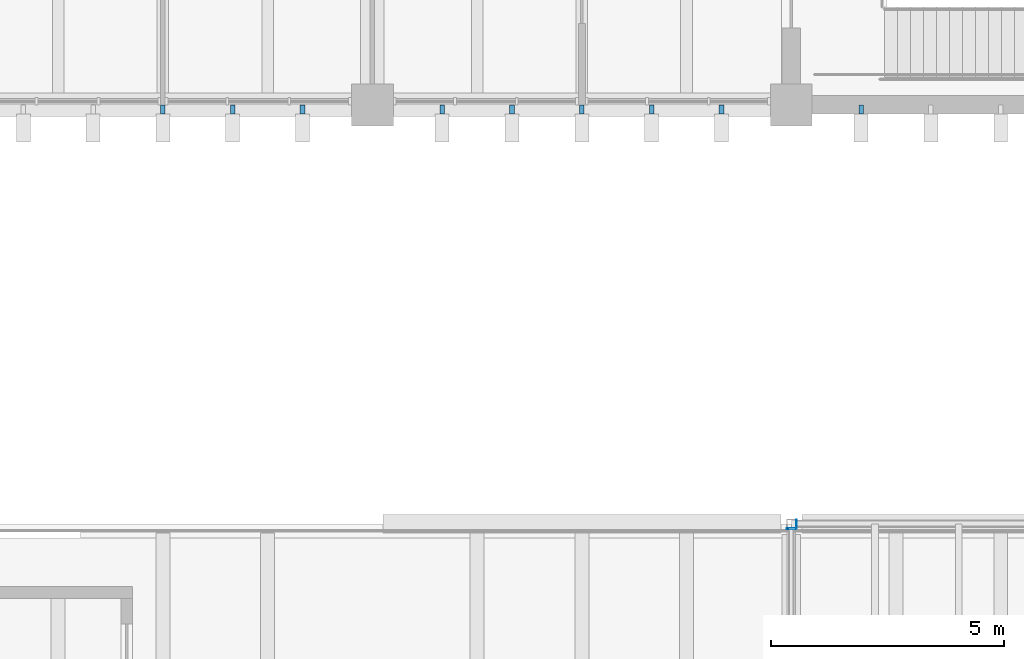
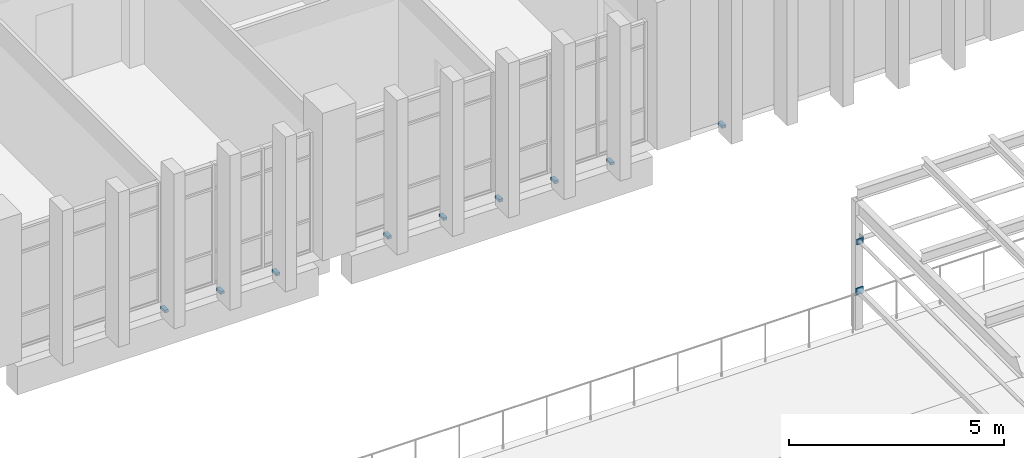
# One storey, part 54 of 74: 12 discrete accessories.
"""IFC4 building model written with IfcOpenShell, lengths in metres."""

from ifc_helpers import new_model, si_unit, direction, frame, origin, place, context, subcontext, project, spatial, polyline, outline, extrude, source, transform, mapped, material, layer, layer_set, type_object, element, save


model = new_model("IFC4")

# Units and contexts
model_context = context("Model", 3, precision=1e-05, world=origin(), true_north=direction((0.0, 1.0)))
body_context = subcontext(model_context, "Body", "Model", "MODEL_VIEW")
ifc_project = project(units=[si_unit("LENGTHUNIT", "METRE"), si_unit("AREAUNIT", "SQUARE_METRE"), si_unit("VOLUMEUNIT", "CUBIC_METRE"), si_unit("PLANEANGLEUNIT", "RADIAN"), si_unit("MASSUNIT", "GRAM", prefix="KILO")], contexts=[model_context])

# Site, building, storey
site_placement = place(None, origin())
site = spatial("IfcSite", under=ifc_project, at=site_placement, CompositionType="ELEMENT")
building_placement = place(site_placement, origin())
building = spatial("IfcBuilding", under=site, at=building_placement, Name="Merrow Basin Faculty of Sciences", CompositionType="ELEMENT")
storey_placement = place(building_placement, frame((0.0, 0.0, 13.5)))
storey = spatial("IfcBuildingStorey", under=building, at=storey_placement, Name="L03", CompositionType="ELEMENT", Elevation=13.5)

# Discrete accessories
ifc_material_1 = material(Name="Steel ASTM A572 Gr 50", Category="steel")
discrete_accessory_type_1 = type_object("IfcDiscreteAccessoryType", Name="Steel T bracket 100 x 80 fin", PredefinedType="BRACKET", material=ifc_material_1)
shared_shape_1 = source(origin(), body_context, "Body", "SweptSolid", [
    extrude(outline(polyline([(0.0, 0.0), (0.10009765625, 0.0), (0.10009765625, 0.080078125), (0.0, 0.080078125), (0.0, 0.0)])), origin(), (0.0, 0.0, 1.0), 0.199951171875),
])
for number, where, z_axis, x_axis, name in (
    (1, (31.449951171875, 142.0, -0.199951171875), (0.0, -1.0, 0.0), (1.0, 0.0, 0.0), "Fin bracket SL03"),
    (2, (32.949951171875, 142.0, -0.199951171875), (0.0, -1.0, 0.0), (1.0, 0.0, 0.0), "Fin bracket SL03"),
    (3, (34.449951171875, 142.0, -0.199951171875), (0.0, -1.0, 0.0), (1.0, 0.0, 0.0), "Fin bracket SL03"),
    (4, (37.449951171875, 142.0, -0.199951171875), (0.0, -1.0, 0.0), (1.0, 0.0, 0.0), "Fin bracket SL03"),
    (5, (38.949951171875, 142.0, -0.199951171875), (0.0, -1.0, 0.0), (1.0, 0.0, 0.0), "Fin bracket SL03"),
    (6, (40.449951171875, 142.0, -0.199951171875), (0.0, -1.0, 0.0), (1.0, 0.0, 0.0), "Fin bracket SL03"),
    (7, (41.949951171875, 142.0, -0.199951171875), (0.0, -1.0, 0.0), (1.0, 0.0, 0.0), "Fin bracket SL03"),
    (8, (43.449951171875, 142.0, -0.199951171875), (0.0, -1.0, 0.0), (1.0, 0.0, 0.0), "Fin bracket SL03"),
    (9, (46.449951171875, 142.0, -0.199951171875), (0.0, -1.0, 0.0), (1.0, 0.0, 0.0), "Fin bracket SL03"),
):
    element("IfcDiscreteAccessory", number, at=place(storey_placement, frame(where, z_axis=z_axis, x_axis=x_axis)), inside=storey, type_object=discrete_accessory_type_1, Name=name, PredefinedType="BRACKET", context=body_context, shape_type="MappedRepresentation", body=[
        mapped(shared_shape_1, transform((0.0, 0.0, 0.0), scale=1.0)),
    ])
ifc_material_2 = material(Name="Steel ASTM A572 Gr 50", Category="steel")
ifc_layer_1 = layer(ifc_material_2, 0.01611328125)
ifc_layer_set_1 = layer_set([ifc_layer_1], Name="Steel end plate 197 x 197 x 16")
discrete_accessory_type_2 = type_object("IfcDiscreteAccessoryType", Name="Steel end plate 197 x 197 x 16", PredefinedType="ANCHORPLATE", material=ifc_layer_set_1)
shared_shape_2 = source(origin(), body_context, "Body", "SweptSolid", [
    extrude(outline(polyline([(0.0, 0.0), (0.197021484375, 0.0), (0.197021484375, 0.197021484375), (0.0, 0.197021484375), (0.0, 0.0)])), origin(), (0.0, 0.0, 1.0), 0.01611328125),
])
discrete_accessory_1_placement = place(storey_placement, frame((45.09912109375, 132.883056640625, 1.001953125), z_axis=(0.0, 1.0, 0.0), x_axis=(-1.0, 0.0, 0.0)))
element("IfcDiscreteAccessory", 10, at=discrete_accessory_1_placement, inside=storey, type_object=discrete_accessory_type_2, Name="End plate TK1 L03 032 end", PredefinedType="ANCHORPLATE", context=body_context, shape_type="MappedRepresentation", body=[
    mapped(shared_shape_2, transform((0.0, 0.0, 0.0), scale=1.0)),
])
ifc_material_3 = material(Name="Steel ASTM A572 Gr 50", Category="steel")
ifc_layer_2 = layer(ifc_material_3, 0.01611328125)
ifc_layer_set_2 = layer_set([ifc_layer_2], Name="Steel end plate 184 x 184 x 16")
discrete_accessory_type_3 = type_object("IfcDiscreteAccessoryType", Name="Steel end plate 184 x 184 x 16", PredefinedType="ANCHORPLATE", material=ifc_layer_set_2)
shared_shape_3 = source(origin(), body_context, "Body", "SweptSolid", [
    extrude(outline(polyline([(0.0, 0.0), (0.18408203125, 0.0), (0.18408203125, 0.18408203125), (0.0, 0.18408203125), (0.0, 0.0)])), origin(), (0.0, 0.0, 1.0), 0.01611328125),
])
discrete_accessory_2_placement = place(storey_placement, frame((45.117919921875, 133.092041015625, 2.40087890625), z_axis=(-1.0, 0.0, 0.0), x_axis=(0.0, -1.0, 0.0)))
element("IfcDiscreteAccessory", 11, at=discrete_accessory_2_placement, inside=storey, type_object=discrete_accessory_type_3, Name="End plate TB1 L03 026 start", PredefinedType="ANCHORPLATE", context=body_context, shape_type="MappedRepresentation", body=[
    mapped(shared_shape_3, transform((0.0, 0.0, 0.0), scale=1.0)),
])
ifc_material_4 = material(Name="Steel ASTM A572 Gr 50", Category="steel")
ifc_layer_3 = layer(ifc_material_4, 0.01611328125)
ifc_layer_set_3 = layer_set([ifc_layer_3], Name="Steel end plate 159 x 159 x 16")
discrete_accessory_type_4 = type_object("IfcDiscreteAccessoryType", Name="Steel end plate 159 x 159 x 16", PredefinedType="ANCHORPLATE", material=ifc_layer_set_3)
shared_shape_4 = source(origin(), body_context, "Body", "SweptSolid", [
    extrude(outline(polyline([(0.0, 0.0), (0.158935546875, 0.0), (0.158935546875, 0.158935546875), (0.0, 0.158935546875), (0.0, 0.0)])), origin(), (0.0, 0.0, 1.0), 0.01611328125),
])
discrete_accessory_3_placement = place(storey_placement, frame((45.0791015625, 132.883056640625, 2.427001953125), z_axis=(0.0, 1.0, 0.0), x_axis=(-1.0, 0.0, 0.0)))
element("IfcDiscreteAccessory", 12, at=discrete_accessory_3_placement, inside=storey, type_object=discrete_accessory_type_4, Name="End plate TL1 L03 028 end", PredefinedType="ANCHORPLATE", context=body_context, shape_type="MappedRepresentation", body=[
    mapped(shared_shape_4, transform((0.0, 0.0, 0.0), scale=1.0)),
])

save(model, "model.ifc")
